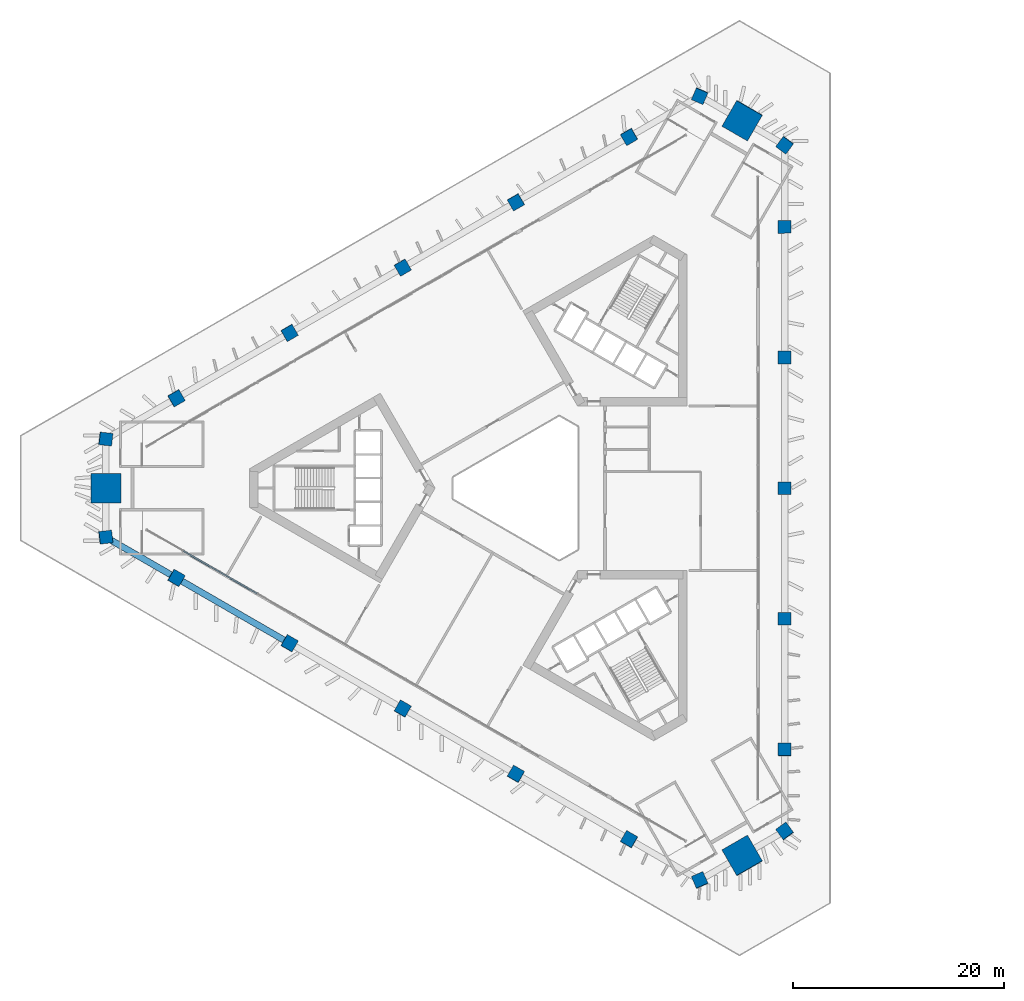
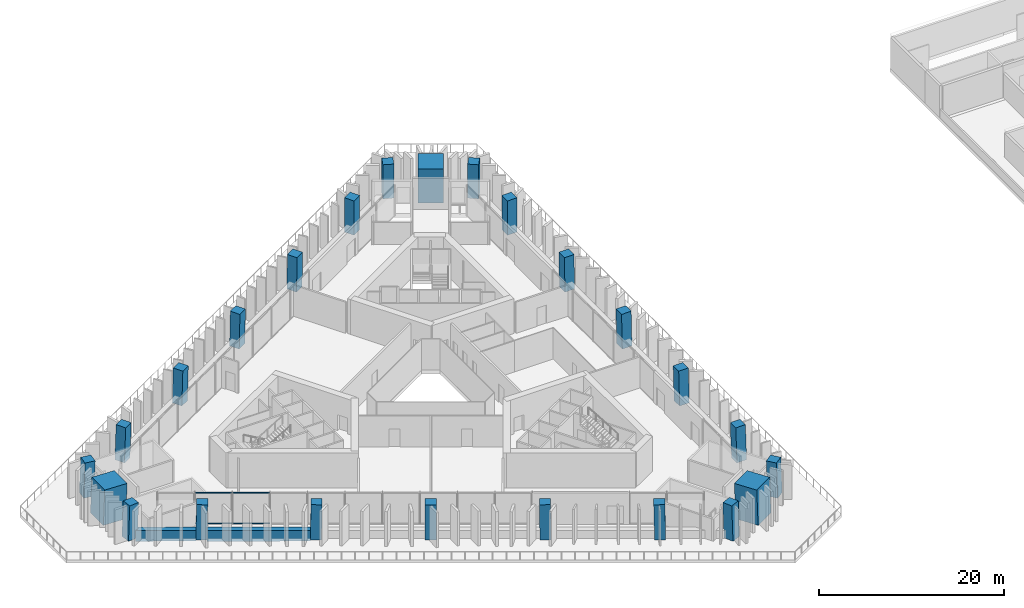
# One storey, part 1 of 31: 24 columns, 4 members, 2 beams, 1 element without a shape of its own.
"""IFC4 building model written with IfcOpenShell, lengths in metres."""

from ifc_helpers import new_model, si_unit, direction, frame, origin, origin_2d, place, context, subcontext, project, spatial, rectangle, extrude, material, layer, layer_set, material_profile, profile_set, type_object, element, aggregate, save


model = new_model("IFC4")

# Units and contexts
model_context = context("Model", 3, precision=1e-05, world=origin(), true_north=direction((0.0, 1.0)))
body_context = subcontext(model_context, "Body", "Model", "MODEL_VIEW")
ifc_project = project(units=[si_unit("LENGTHUNIT", "METRE"), si_unit("AREAUNIT", "SQUARE_METRE"), si_unit("VOLUMEUNIT", "CUBIC_METRE"), si_unit("PLANEANGLEUNIT", "RADIAN"), si_unit("MASSUNIT", "GRAM", prefix="KILO")], contexts=[model_context])

# Site, building, storey
site_placement = place(None, origin())
site = spatial("IfcSite", under=ifc_project, at=site_placement, CompositionType="ELEMENT")
building_placement = place(site_placement, origin())
building = spatial("IfcBuilding", under=site, at=building_placement, Name="Jabali Bay Hotel Tower and Convention Centre", CompositionType="ELEMENT")
storey_placement = place(building_placement, frame((0.0, 0.0, 25.39990234375)))
storey = spatial("IfcBuildingStorey", under=building, at=storey_placement, Name="L04", CompositionType="ELEMENT", Elevation=25.39990234375)

# Columns
ifc_material_1 = material(Name="Concrete C60", Category="concrete")
ifc_material_profile_1 = material_profile(ifc_material_1, rectangle(XDim=1.199951171875, YDim=1.199951171875, at=origin_2d()), Name="Frame column 1200")
ifc_profile_set_1 = profile_set([ifc_material_profile_1], Name="Concrete C60")
column_type_1 = type_object("IfcColumnType", Name="Frame column 1200", PredefinedType="COLUMN", material=ifc_profile_set_1)
column_1_placement = place(storey_placement, frame((84.38720703125, 113.29736328125, 0.0), z_axis=(-0.008381911817, -0.028116539639, 0.999569509215), x_axis=(0.866170741965, 0.49929372667, 0.021307751426)))
element("IfcColumn", 1, at=column_1_placement, inside=storey, type_object=column_type_1, Name="FC1 F1.1 L04", PredefinedType="COLUMN", context=body_context, shape_type="SweptSolid", body=[
    extrude(rectangle(XDim=1.199951171875, YDim=1.199951171875, at=origin_2d()), origin(), (0.0, 0.0, 1.0), 4.60205078125),
])
column_2_placement = place(storey_placement, frame((73.657958984375, 107.102783203125, 0.0), z_axis=(0.000848946433, -0.022762376233, 0.9997405431), x_axis=(0.86619902338, 0.499585888559, 0.01063916579)))
element("IfcColumn", 2, at=column_2_placement, inside=storey, type_object=column_type_1, Name="FC1 F1.2 L04", PredefinedType="COLUMN", context=body_context, shape_type="SweptSolid", body=[
    extrude(rectangle(XDim=1.199951171875, YDim=1.199951171875, at=origin_2d()), origin(), (0.0, 0.0, 1.0), 4.601318359375),
])
column_3_placement = place(storey_placement, frame((62.928466796875, 100.908447265625, 0.0), z_axis=(0.010134853242, -0.017510479423, 0.999795312982), x_axis=(-0.500826723306, 0.865311077638, 0.020231958379)))
element("IfcColumn", 3, at=column_3_placement, inside=storey, type_object=column_type_1, Name="FC1 F1.3 L04", PredefinedType="COLUMN", context=body_context, shape_type="SweptSolid", body=[
    extrude(rectangle(XDim=1.199951171875, YDim=1.199951171875, at=origin_2d()), origin(), (0.0, 0.0, 1.0), 4.60107421875),
])
column_4_placement = place(storey_placement, frame((52.19921875, 94.7138671875, 0.0), z_axis=(0.01931351395, -0.012150534875, 0.999739642448), x_axis=(-0.499502010119, 0.866077758068, 0.020175699941)))
element("IfcColumn", 4, at=column_4_placement, inside=storey, type_object=column_type_1, Name="FC1 F1.4 L04", PredefinedType="COLUMN", context=body_context, shape_type="SweptSolid", body=[
    extrude(rectangle(XDim=1.199951171875, YDim=1.199951171875, at=origin_2d()), origin(), (0.0, 0.0, 1.0), 4.601318359375),
])
for number, where, z_axis, x_axis, name in (
    (5, (41.469970703125, 88.519287109375, 0.0), (0.028540931362, -0.00684345752, 0.999569198368), (-0.498845969103, 0.866455790715, 0.020175773717), "FC1 F1.5 L04"),
    (6, (41.469970703125, 71.480712890625, 0.0), (0.028540931362, 0.00684345752, 0.999569198368), (-0.866220592197, 0.499206900819, 0.021315624052), "FC1 F2.1 L04"),
):
    element("IfcColumn", number, at=place(storey_placement, frame(where, z_axis=z_axis, x_axis=x_axis)), inside=storey, type_object=column_type_1, Name=name, PredefinedType="COLUMN", context=body_context, shape_type="SweptSolid", body=[
        extrude(rectangle(XDim=1.199951171875, YDim=1.199951171875, at=origin_2d()), origin(), (0.0, 0.0, 1.0), 4.60205078125),
    ])
column_5_placement = place(storey_placement, frame((52.19921875, 65.2861328125, 0.0), z_axis=(0.01931351395, 0.012150534875, 0.999739642448), x_axis=(-0.866097413728, 0.49976162466, 0.010657788268)))
element("IfcColumn", 7, at=column_5_placement, inside=storey, type_object=column_type_1, Name="FC1 F2.2 L04", PredefinedType="COLUMN", context=body_context, shape_type="SweptSolid", body=[
    extrude(rectangle(XDim=1.199951171875, YDim=1.199951171875, at=origin_2d()), origin(), (0.0, 0.0, 1.0), 4.601318359375),
])
column_6_placement = place(storey_placement, frame((62.928466796875, 59.091552734375, 0.0), z_axis=(0.010134853242, 0.017510479423, 0.999795312982), x_axis=(-0.865488230984, 0.500929258506, 8.4747e-08)))
element("IfcColumn", 8, at=column_6_placement, inside=storey, type_object=column_type_1, Name="FC1 F2.3 L04", PredefinedType="COLUMN", context=body_context, shape_type="SweptSolid", body=[
    extrude(rectangle(XDim=1.199951171875, YDim=1.199951171875, at=origin_2d()), origin(), (0.0, 0.0, 1.0), 4.60107421875),
])
column_7_placement = place(storey_placement, frame((73.657958984375, 52.897216796875, 0.0), z_axis=(0.000848946433, 0.022762376233, 0.9997405431), x_axis=(-0.499698440248, -0.865965249985, 0.020140869721)))
element("IfcColumn", 9, at=column_7_placement, inside=storey, type_object=column_type_1, Name="FC1 F2.4 L04", PredefinedType="COLUMN", context=body_context, shape_type="SweptSolid", body=[
    extrude(rectangle(XDim=1.199951171875, YDim=1.199951171875, at=origin_2d()), origin(), (0.0, 0.0, 1.0), 4.601318359375),
])
for number, where, z_axis, x_axis, name in (
    (10, (84.38720703125, 46.70263671875, 0.0), (-0.008381911817, 0.028116539639, 0.999569509215), (-0.49967788556, -0.865976463137, 0.020168688013), "FC1 F2.5 L04"),
    (11, (99.142822265625, 55.2216796875, 0.0), (-0.020159024449, 0.021326125865, 0.999569312298), (-0.000879082395, -0.999772471466, 0.02131273125), "FC1 F0.1 L04"),
):
    element("IfcColumn", number, at=place(storey_placement, frame(where, z_axis=z_axis, x_axis=x_axis)), inside=storey, type_object=column_type_1, Name=name, PredefinedType="COLUMN", context=body_context, shape_type="SweptSolid", body=[
        extrude(rectangle(XDim=1.199951171875, YDim=1.199951171875, at=origin_2d()), origin(), (0.0, 0.0, 1.0), 4.60205078125),
    ])
column_8_placement = place(storey_placement, frame((99.142822265625, 67.61083984375, 0.0), z_axis=(-0.020162463478, 0.010664881998, 0.999739833836), x_axis=(-0.00065290473, -0.999943032634, 0.010653882059)))
element("IfcColumn", 12, at=column_8_placement, inside=storey, type_object=column_type_1, Name="FC1 F0.2 L04", PredefinedType="COLUMN", context=body_context, shape_type="SweptSolid", body=[
    extrude(rectangle(XDim=1.199951171875, YDim=1.199951171875, at=origin_2d()), origin(), (0.0, 0.0, 1.0), 4.601318359375),
])
column_9_placement = place(storey_placement, frame((99.142822265625, 80.0, 0.0), z_axis=(-0.020163610212, 0.0, 0.999796693745), x_axis=(0.0, -1.0, 0.0)))
element("IfcColumn", 13, at=column_9_placement, inside=storey, type_object=column_type_1, Name="FC1 F0.3 L04", PredefinedType="COLUMN", context=body_context, shape_type="SweptSolid", body=[
    extrude(rectangle(XDim=1.199951171875, YDim=1.199951171875, at=origin_2d()), origin(), (0.0, 0.0, 1.0), 4.60107421875),
])
column_10_placement = place(storey_placement, frame((99.142822265625, 92.38916015625, 0.0), z_axis=(-0.020162463478, -0.010664881998, 0.999739833836), x_axis=(0.999796503686, 0.000437926358, 0.020168278028)))
element("IfcColumn", 14, at=column_10_placement, inside=storey, type_object=column_type_1, Name="FC1 F0.4 L04", PredefinedType="COLUMN", context=body_context, shape_type="SweptSolid", body=[
    extrude(rectangle(XDim=1.199951171875, YDim=1.199951171875, at=origin_2d()), origin(), (0.0, 0.0, 1.0), 4.601318359375),
])
column_11_placement = place(storey_placement, frame((99.142822265625, 104.7783203125, 0.0), z_axis=(-0.020159024449, -0.021326125865, 0.999569312298), x_axis=(0.999796399747, 0.000449059914, 0.020173185118)))
element("IfcColumn", 15, at=column_11_placement, inside=storey, type_object=column_type_1, Name="FC1 F0.5 L04", PredefinedType="COLUMN", context=body_context, shape_type="SweptSolid", body=[
    extrude(rectangle(XDim=1.199951171875, YDim=1.199951171875, at=origin_2d()), origin(), (0.0, 0.0, 1.0), 4.60205078125),
])
for number, where, z_axis, x_axis, name in (
    (16, (99.142822265625, 47.48193359375, 0.0), (-0.02015512216, 0.029012767952, 0.999375820373), (-0.803311184815, -0.595558523742, 0.001088645699), "FC1 V0 L04"),
    (17, (99.142822265625, 112.51806640625, 0.0), (-0.02015512216, -0.029012767952, 0.999375820373), (0.59521837287, 0.802787832552, 0.035309835798), "FC1 V1 L04"),
    (18, (91.090087890625, 117.167236328125, 0.0), (-0.015063313457, -0.031929981343, 0.999376592121), (0.917120330178, -0.398608976681, 0.001087972073), "FC1 V2 L04"),
    (19, (34.76708984375, 84.6494140625, 0.0), (0.03521840303, -0.002970226762, 0.999375225749), (-0.992777194529, 0.114653696427, 0.035326646012), "FC1 V3 L04"),
    (20, (34.76708984375, 75.3505859375, 0.0), (0.03521840303, 0.002970226762, 0.999375225749), (-0.114686991899, 0.993401080958, 0.001089146698), "FC1 V4 L04"),
    (21, (91.090087890625, 42.832763671875, 0.0), (-0.015063313457, 0.031929981343, 0.999376592121), (0.398325741776, -0.916564978603, 0.035288006994), "FC1 V5 L04"),
):
    element("IfcColumn", number, at=place(storey_placement, frame(where, z_axis=z_axis, x_axis=x_axis)), inside=storey, type_object=column_type_1, Name=name, PredefinedType="COLUMN", context=body_context, shape_type="SweptSolid", body=[
        extrude(rectangle(XDim=1.199951171875, YDim=1.199951171875, at=origin_2d()), origin(), (0.0, 0.0, 1.0), 4.60302734375),
    ])
ifc_material_2 = material(Name="Concrete C70", Category="concrete")
ifc_material_profile_2 = material_profile(ifc_material_2, rectangle(XDim=2.800048828125, YDim=2.800048828125, at=origin_2d()), Name="Mega column 2800")
ifc_profile_set_2 = profile_set([ifc_material_profile_2], Name="Concrete C70")
column_type_2 = type_object("IfcColumnType", Name="Mega column 2800", PredefinedType="COLUMN", material=ifc_profile_set_2)
for number, where, z_axis, x_axis, name in (
    (22, (95.116455078125, 114.8427734375, 0.0), (-0.017609280356, -0.030498000617, 0.999379700216), (0.86601344307, -0.500020715992, 2.41556e-07), "MC1 M1 L04"),
    (23, (34.76708984375, 80.0, 0.0), (0.035218558384, 0.0, 0.999379634146), (0.0, 1.0, 0.0), "MC1 M0 L04"),
    (24, (95.116455078125, 45.1572265625, 0.0), (-0.017609280356, 0.030498000617, 0.999379700216), (0.499713221198, -0.865474714688, 0.035216683493), "MC1 M2 L04"),
):
    element("IfcColumn", number, at=place(storey_placement, frame(where, z_axis=z_axis, x_axis=x_axis)), inside=storey, type_object=column_type_2, Name=name, PredefinedType="COLUMN", context=body_context, shape_type="SweptSolid", body=[
        extrude(rectangle(XDim=2.800048828125, YDim=2.800048828125, at=origin_2d()), origin(), (0.0, 0.0, 1.0), 4.60302734375),
    ])

# Curtain wall, members
ifc_material_3 = material(Name="Aluminium and glass", Category="aluminium")
ifc_layer = layer(ifc_material_3, 0.199951171875)
ifc_layer_set = layer_set([ifc_layer], Name="Aluminium and glass")
curtain_wall_type = type_object("IfcCurtainWallType", Name="CW6 curtain wall", PredefinedType="NOTDEFINED", material=ifc_layer_set)
curtain_wall_placement = place(storey_placement, origin())
curtain_wall = element("IfcCurtainWall", 25, at=curtain_wall_placement, inside=storey, type_object=curtain_wall_type, Name="CW6 curtain wall south-west face L04", PredefinedType="NOTDEFINED")
ifc_material_4 = material(Name="Aluminium", Category="aluminium")
ifc_material_profile_3 = material_profile(ifc_material_4, rectangle(XDim=0.139892578125, YDim=0.06005859375, at=origin_2d()), Name="CW6 transom 60 x 140")
ifc_profile_set_3 = profile_set([ifc_material_profile_3], Name="Aluminium")
member_type = type_object("IfcMemberType", Name="CW6 transom 60 x 140", PredefinedType="USERDEFINED", material=ifc_profile_set_3)
member_1_placement = place(storey_placement, frame((49.122314453125, 70.00732421875, 0.030029296875), z_axis=(-0.866033907579, 0.499985270706, 0.0), x_axis=(-0.499985270706, -0.866033907579, 0.0)))
member_1 = element("IfcMember", 26, at=member_1_placement, type_object=member_type, Name="CW6 transom 8.1", ObjectType="TRANSOM", PredefinedType="USERDEFINED", context=body_context, shape_type="SweptSolid", body=[
    extrude(rectangle(XDim=0.139892578125, YDim=0.06005859375, at=origin_2d()), origin(), (0.0, 0.0, 1.0), 3.99365234375),
])
member_2_placement = place(storey_placement, frame((49.122314453125, 70.00732421875, 4.070068359375), z_axis=(-0.866033907579, 0.499985270706, 0.0), x_axis=(-0.499985270706, -0.866033907579, 0.0)))
member_2 = element("IfcMember", 27, at=member_2_placement, type_object=member_type, Name="CW6 transom 8.2", ObjectType="TRANSOM", PredefinedType="USERDEFINED", context=body_context, shape_type="SweptSolid", body=[
    extrude(rectangle(XDim=0.139892578125, YDim=0.06005859375, at=origin_2d()), origin(), (0.0, 0.0, 1.0), 3.99365234375),
])
member_3_placement = place(storey_placement, frame((45.611572265625, 72.0341796875, 0.030029296875), z_axis=(-0.866033907579, 0.499985270706, 0.0), x_axis=(-0.499985270706, -0.866033907579, 0.0)))
member_3 = element("IfcMember", 28, at=member_3_placement, type_object=member_type, Name="CW6 transom 9.1", ObjectType="TRANSOM", PredefinedType="USERDEFINED", context=body_context, shape_type="SweptSolid", body=[
    extrude(rectangle(XDim=0.139892578125, YDim=0.06005859375, at=origin_2d()), origin(), (0.0, 0.0, 1.0), 3.99365234375),
])
member_4_placement = place(storey_placement, frame((45.611572265625, 72.0341796875, 4.070068359375), z_axis=(-0.866033907579, 0.499985270706, 0.0), x_axis=(-0.499985270706, -0.866033907579, 0.0)))
member_4 = element("IfcMember", 29, at=member_4_placement, type_object=member_type, Name="CW6 transom 9.2", ObjectType="TRANSOM", PredefinedType="USERDEFINED", context=body_context, shape_type="SweptSolid", body=[
    extrude(rectangle(XDim=0.139892578125, YDim=0.06005859375, at=origin_2d()), origin(), (0.0, 0.0, 1.0), 3.99365234375),
])
aggregate(curtain_wall, [member_1, member_2, member_3, member_4])

# Beams
ifc_material_profile_4 = material_profile(ifc_material_1, rectangle(XDim=0.60009765625, YDim=1.449951171875, at=origin_2d()), Name="Spandrel 600x1450")
ifc_profile_set_4 = profile_set([ifc_material_profile_4], Name="Concrete C60")
beam_type = type_object("IfcBeamType", Name="Spandrel 600x1450", PredefinedType="SPANDREL", material=ifc_profile_set_4)
beam_1_placement = place(storey_placement, frame((35.300048828125, 75.0517578125, 0.375), z_axis=(0.86603507536, -0.499983247966, 0.0), x_axis=(0.499983247966, 0.86603507536, 0.0)))
element("IfcBeam", 30, at=beam_1_placement, inside=storey, type_object=beam_type, Name="Spandrel V4-F2.1 L04", PredefinedType="SPANDREL", context=body_context, shape_type="SweptSolid", body=[
    extrude(rectangle(XDim=0.60009765625, YDim=1.449951171875, at=origin_2d()), origin(), (0.0, 0.0, 1.0), 6.536865234375),
])
beam_2_placement = place(storey_placement, frame((42.000244140625, 71.183349609375, 0.375), z_axis=(0.866030381124, -0.499991378895, 0.0), x_axis=(0.499991378895, 0.866030381124, 0.0)))
element("IfcBeam", 31, at=beam_2_placement, inside=storey, type_object=beam_type, Name="Spandrel F2.1-F2.2 L04", PredefinedType="SPANDREL", context=body_context, shape_type="SweptSolid", body=[
    extrude(rectangle(XDim=0.60009765625, YDim=1.449951171875, at=origin_2d()), origin(), (0.0, 0.0, 1.0), 11.185302734375),
])

save(model, "model.ifc")
